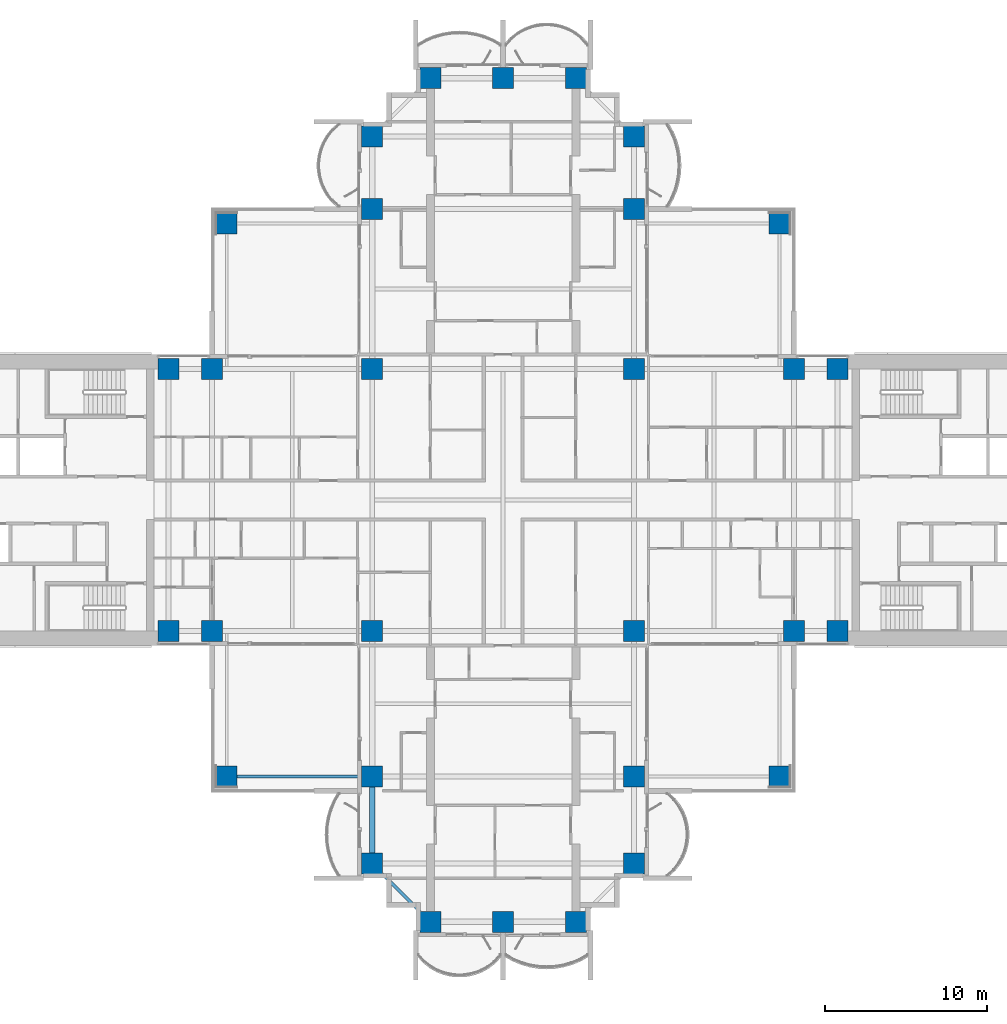
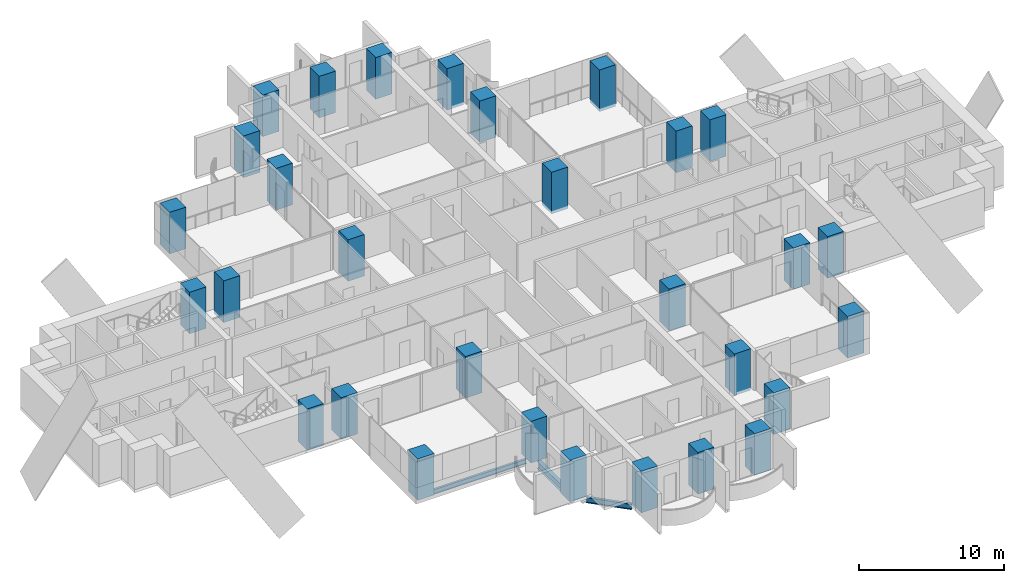
# One storey, part 1 of 23: 30 columns, 3 beams.
"""IFC4 building model written with IfcOpenShell, lengths in metres."""

from ifc_helpers import new_model, si_unit, direction, frame, origin, origin_2d, place, context, subcontext, project, spatial, rectangle, i_section, extrude, material, material_profile, profile_set, type_object, element, save


model = new_model("IFC4")

# Units and contexts
model_context = context("Model", 3, precision=1e-05, world=origin(), true_north=direction((0.0, 1.0)))
body_context = subcontext(model_context, "Body", "Model", "MODEL_VIEW")
ifc_project = project(units=[si_unit("LENGTHUNIT", "METRE"), si_unit("AREAUNIT", "SQUARE_METRE"), si_unit("VOLUMEUNIT", "CUBIC_METRE"), si_unit("PLANEANGLEUNIT", "RADIAN"), si_unit("MASSUNIT", "GRAM", prefix="KILO")], contexts=[model_context])

# Site, building, storey
site_placement = place(None, origin())
site = spatial("IfcSite", under=ifc_project, at=site_placement, CompositionType="ELEMENT")
building_placement = place(site_placement, origin())
building = spatial("IfcBuilding", under=site, at=building_placement, Name="Perihelion Cross Residences", CompositionType="ELEMENT")
storey_placement = place(building_placement, frame((0.0, 0.0, 61.0)))
storey = spatial("IfcBuildingStorey", under=building, at=storey_placement, Name="L12", CompositionType="ELEMENT", Elevation=61.0)

# Columns
ifc_material_1 = material(Name="Concrete C70/85", Category="concrete")
ifc_material_profile_1 = material_profile(ifc_material_1, rectangle(XDim=1.300048828125, YDim=1.300048828125, at=origin_2d()), Name="RC 1300x1300")
ifc_profile_set_1 = profile_set([ifc_material_profile_1], Name="Concrete C70/85")
column_type = type_object("IfcColumnType", Name="Reinforced concrete column 1300x1300 C70/85", PredefinedType="COLUMN", material=ifc_profile_set_1)
for number, where, z_axis, x_axis, name in (
    (1, (-20.699951171875, -8.10009765625, -0.25), (0.0, 0.0, 1.0), (1.0, 0.0, 0.0), "Column C017 L12 no. 1"),
    (2, (-20.699951171875, 8.10009765625, -0.25), (0.0, 0.0, 1.0), (1.0, 0.0, 0.0), "Column C010 L12 no. 1"),
    (3, (-18.0, -8.10009765625, -0.25), (0.0, 0.0, 1.0), (1.0, 0.0, 0.0), "Column C018 L12 no. 1"),
    (4, (-18.0, 8.10009765625, -0.25), (0.0, 0.0, 1.0), (1.0, 0.0, 0.0), "Column C011 L12 no. 1"),
    (5, (-8.10009765625, -22.5, -0.25), (0.0, 0.0, 1.0), (1.0, 0.0, 0.0), "Column C040 L12 no. 1"),
    (6, (-8.10009765625, -17.10009765625, -0.25), (0.0, 0.0, 1.0), (1.0, 0.0, 0.0), "Column C031 L12 no. 1"),
    (7, (-8.10009765625, -8.10009765625, -0.25), (0.0, 0.0, 1.0), (1.0, 0.0, 0.0), "Column C019 L12 no. 1"),
    (8, (-8.10009765625, 8.10009765625, -0.25), (0.0, 0.0, 1.0), (1.0, 0.0, 0.0), "Column C012 L12 no. 1"),
    (9, (-8.10009765625, 18.0, -0.25), (0.0, 0.0, 1.0), (1.0, 0.0, 0.0), "Column C006 L12 no. 1"),
    (10, (-8.10009765625, 22.5, -0.25), (0.0, 0.0, 1.0), (1.0, 0.0, 0.0), "Column C004 L12 no. 1"),
    (11, (-4.5, -26.10009765625, -0.25), (0.0, 0.0, 1.0), (1.0, 0.0, 0.0), "Column C042 L12 no. 1"),
    (12, (-4.5, 26.10009765625, -0.25), (0.0, 0.0, 1.0), (1.0, 0.0, 0.0), "Column C001 L12 no. 1"),
    (13, (0.0, -26.10009765625, -0.25), (0.0, 0.0, 1.0), (1.0, 0.0, 0.0), "Column C043 L12 no. 1"),
    (14, (0.0, 26.10009765625, -0.25), (0.0, 0.0, 1.0), (1.0, 0.0, 0.0), "Column C002 L12 no. 1"),
    (15, (4.5, -26.10009765625, -0.25), (0.0, 0.0, 1.0), (1.0, 0.0, 0.0), "Column C044 L12 no. 1"),
    (16, (4.5, 26.10009765625, -0.25), (0.0, 0.0, 1.0), (1.0, 0.0, 0.0), "Column C003 L12 no. 1"),
    (17, (8.10009765625, -22.5, -0.25), (0.0, 0.0, 1.0), (1.0, 0.0, 0.0), "Column C041 L12 no. 1"),
    (18, (8.10009765625, -17.10009765625, -0.25), (0.0, 0.0, 1.0), (1.0, 0.0, 0.0), "Column C035 L12 no. 1"),
    (19, (8.10009765625, -8.10009765625, -0.25), (0.0, 0.0, 1.0), (1.0, 0.0, 0.0), "Column C020 L12 no. 1"),
    (20, (8.10009765625, 8.10009765625, -0.25), (0.0, 0.0, 1.0), (1.0, 0.0, 0.0), "Column C014 L12 no. 1"),
    (21, (8.10009765625, 18.0, -0.25), (0.0, 0.0, 1.0), (1.0, 0.0, 0.0), "Column C007 L12 no. 1"),
    (22, (8.10009765625, 22.5, -0.25), (0.0, 0.0, 1.0), (1.0, 0.0, 0.0), "Column C005 L12 no. 1"),
    (23, (18.0, -8.10009765625, -0.25), (0.0, 0.0, 1.0), (1.0, 0.0, 0.0), "Column C021 L12 no. 1"),
    (24, (18.0, 8.10009765625, -0.25), (0.0, 0.0, 1.0), (1.0, 0.0, 0.0), "Column C015 L12 no. 1"),
    (25, (20.699951171875, -8.10009765625, -0.25), (0.0, 0.0, 1.0), (1.0, 0.0, 0.0), "Column C022 L12 no. 1"),
    (26, (20.699951171875, 8.10009765625, -0.25), (0.0, 0.0, 1.0), (1.0, 0.0, 0.0), "Column C016 L12 no. 1"),
    (27, (17.10009765625, 17.10009765625, -0.25), (0.0, 0.0, 1.0), (1.0, 0.0, 0.0), "Column C009 L12 no. 1"),
    (28, (-17.10009765625, 17.10009765625, -0.25), (0.0, 0.0, 1.0), (1.0, 0.0, 0.0), "Column C008 L12 no. 1"),
    (29, (-17.10009765625, -17.10009765625, -0.25), (0.0, 0.0, 1.0), (1.0, 0.0, 0.0), "Column C030 L12 no. 1"),
    (30, (17.10009765625, -17.10009765625, -0.25), (0.0, 0.0, 1.0), (1.0, 0.0, 0.0), "Column C036 L12 no. 1"),
):
    element("IfcColumn", number, at=place(storey_placement, frame(where, z_axis=z_axis, x_axis=x_axis)), inside=storey, type_object=column_type, Name=name, PredefinedType="COLUMN", context=body_context, shape_type="SweptSolid", body=[
        extrude(rectangle(XDim=1.300048828125, YDim=1.300048828125, at=origin_2d()), origin(), (0.0, 0.0, 1.0), 3.5),
    ])

# Beams
ifc_material_2 = material(Name="Steel S355", Category="steel")
ifc_material_profile_2 = material_profile(ifc_material_2, i_section(OverallWidth=0.177978515625, OverallDepth=0.406005859375, WebThickness=0.0078125, FlangeThickness=0.0126953125, at=origin_2d()), Name="W410x60")
ifc_profile_set_2 = profile_set([ifc_material_profile_2], Name="Steel S355")
beam_type_1 = type_object("IfcBeamType", Name="Core edge beam W410x60", PredefinedType="BEAM", material=ifc_profile_set_2)
beam_1_placement = place(storey_placement, frame((-8.75, -17.10009765625, -0.452880859375), z_axis=(-1.0, 0.0, 0.0), x_axis=(0.0, -1.0, 0.0)))
element("IfcBeam", 31, at=beam_1_placement, inside=storey, type_object=beam_type_1, Name="Core edge beam TB2 L12 corner no. 2", PredefinedType="BEAM", context=body_context, shape_type="SweptSolid", body=[
    extrude(i_section(OverallWidth=0.177978515625, OverallDepth=0.406005859375, WebThickness=0.0078125, FlangeThickness=0.0126953125, at=origin_2d()), origin(), (0.0, 0.0, 1.0), 7.699951171875),
])
ifc_material_3 = material(Name="Steel S355", Category="steel")
ifc_material_profile_3 = material_profile(ifc_material_3, i_section(OverallWidth=0.324951171875, OverallDepth=0.616943359375, WebThickness=0.013916015625, FlangeThickness=0.021484375, at=origin_2d()), Name="W610x174")
ifc_profile_set_3 = profile_set([ifc_material_profile_3], Name="Steel S355")
beam_type_2 = type_object("IfcBeamType", Name="Edge beam W610x174", PredefinedType="SPANDREL", material=ifc_profile_set_3)
beam_2_placement = place(storey_placement, frame((-8.10009765625, -17.75, -0.55859375), z_axis=(0.0, -1.0, 0.0), x_axis=(1.0, 0.0, 0.0)))
element("IfcBeam", 32, at=beam_2_placement, inside=storey, type_object=beam_type_2, Name="Edge beam SB2 L12 no. 5", PredefinedType="SPANDREL", context=body_context, shape_type="SweptSolid", body=[
    extrude(i_section(OverallWidth=0.324951171875, OverallDepth=0.616943359375, WebThickness=0.013916015625, FlangeThickness=0.021484375, at=origin_2d()), origin(), (0.0, 0.0, 1.0), 4.10009765625),
])
ifc_material_4 = material(Name="Steel S355", Category="steel")
ifc_material_profile_4 = material_profile(ifc_material_4, i_section(OverallWidth=0.194091796875, OverallDepth=0.469970703125, WebThickness=0.0126953125, FlangeThickness=0.0205078125, at=origin_2d()), Name="W460x106")
ifc_profile_set_4 = profile_set([ifc_material_profile_4], Name="Steel S355")
beam_type_3 = type_object("IfcBeamType", Name="Serration edge beam W460x106", PredefinedType="BEAM", material=ifc_profile_set_4)
beam_3_placement = place(storey_placement, frame((-7.449951171875, -23.14990234375, -0.485107421875), z_axis=(0.707106781187, -0.707106781187, 0.0), x_axis=(0.707106781187, 0.707106781187, 0.0)))
element("IfcBeam", 33, at=beam_3_placement, inside=storey, type_object=beam_type_3, Name="Serration edge beam EB2 L12 no. 2", PredefinedType="BEAM", context=body_context, shape_type="SweptSolid", body=[
    extrude(i_section(OverallWidth=0.194091796875, OverallDepth=0.469970703125, WebThickness=0.0126953125, FlangeThickness=0.0205078125, at=origin_2d()), origin(), (0.0, 0.0, 1.0), 3.252685546875),
])

save(model, "model.ifc")
